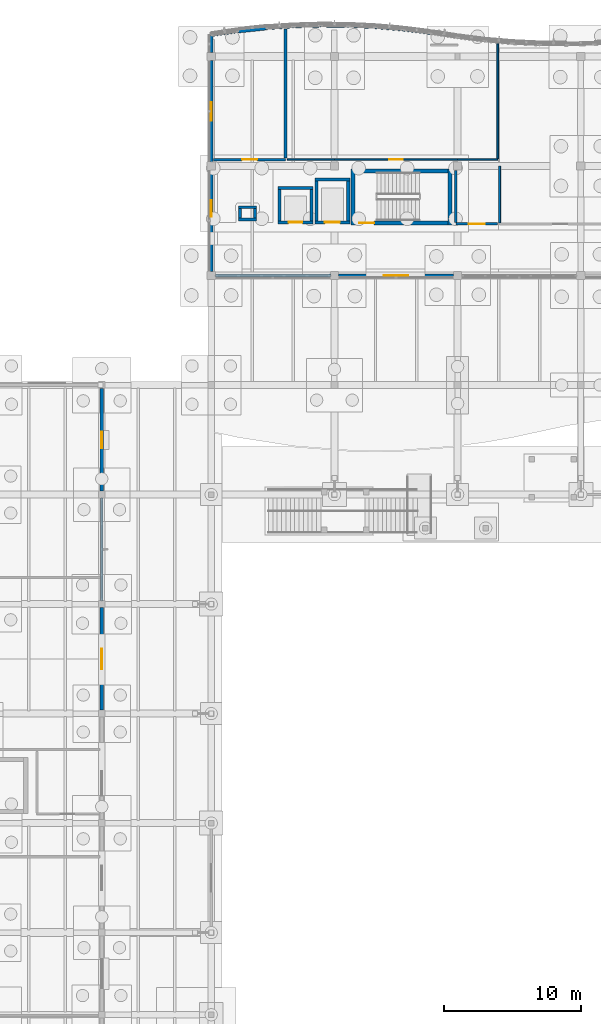
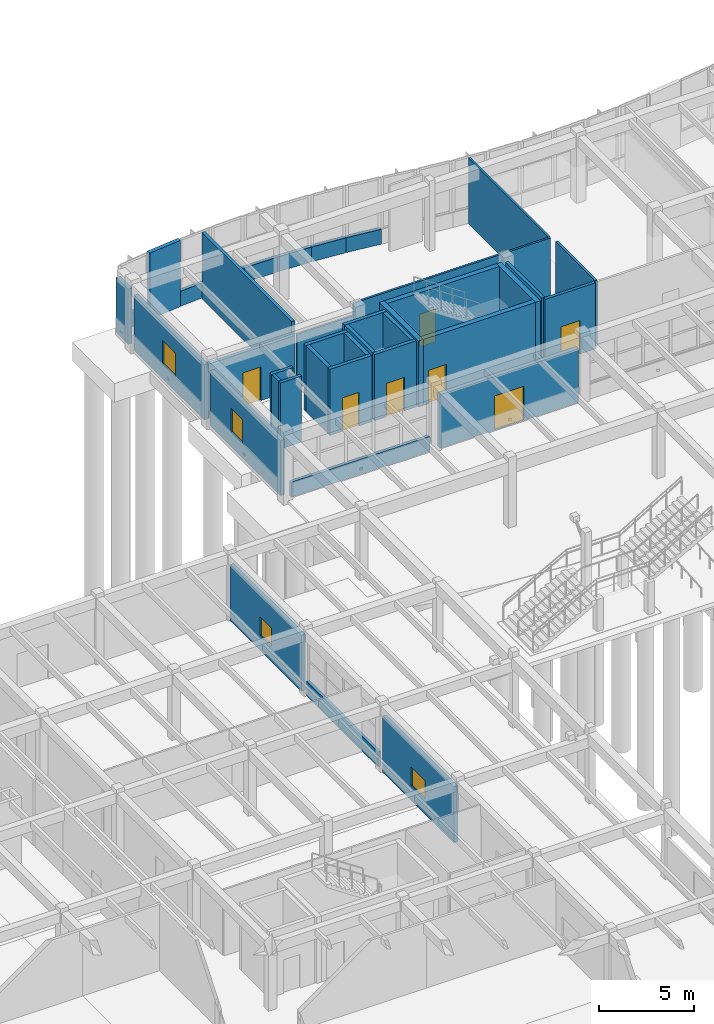
# One storey, part 65 of 99: 41 walls, 7 doors, 4 windows, 11 openings.
"""IFC4 building model written with IfcOpenShell, lengths in metres."""

from ifc_helpers import new_model, si_unit, direction, frame, frame_2d, origin, place, context, subcontext, project, spatial, rectangle, extrude, material, layer, layer_set, type_object, element, fill, save


model = new_model("IFC4")

# Units and contexts
model_context = context("Model", 3, precision=1e-05, world=origin(), true_north=direction((0.0, 1.0)))
body_context = subcontext(model_context, "Body", "Model", "MODEL_VIEW")
ifc_project = project(units=[si_unit("LENGTHUNIT", "METRE"), si_unit("AREAUNIT", "SQUARE_METRE"), si_unit("VOLUMEUNIT", "CUBIC_METRE"), si_unit("PLANEANGLEUNIT", "RADIAN"), si_unit("MASSUNIT", "GRAM", prefix="KILO")], contexts=[model_context])

# Site, building, storey
site_placement = place(None, origin())
site = spatial("IfcSite", under=ifc_project, at=site_placement, CompositionType="ELEMENT")
building_placement = place(site_placement, origin())
building = spatial("IfcBuilding", under=site, at=building_placement, Name="Tonlespit Floodbar School", CompositionType="ELEMENT")
storey_placement = place(building_placement, origin())
storey = spatial("IfcBuildingStorey", under=building, at=storey_placement, Name="L00", CompositionType="ELEMENT", Elevation=0.0)

# Walls
ifc_material_1 = material(Name="Concrete C40/50", Category="concrete")
ifc_layer_1 = layer(ifc_material_1, 0.300048828125)
ifc_layer_set_1 = layer_set([ifc_layer_1], Name="Concrete C40/50")
wall_type_1 = type_object("IfcWallType", Name="CoreWall_RC_300", PredefinedType="SHEAR", material=ifc_layer_set_1)
for number, where, z_axis, x_axis, name in (
    (1, (54.35009765625, 107.699951171875, 0.0), (0.0, 0.0, 1.0), (0.0, 1.0, 0.0), "L00 core C1 shear wall NEAR"),
    (2, (61.449951171875, 111.800048828125, 0.0), (0.0, 0.0, 1.0), (0.0, -1.0, 0.0), "L00 core C1 shear wall FAR"),
):
    element("IfcWall", number, at=place(storey_placement, frame(where, z_axis=z_axis, x_axis=x_axis)), inside=storey, type_object=wall_type_1, Name=name, PredefinedType="SHEAR", context=body_context, shape_type="SweptSolid", body=[
        extrude(rectangle(XDim=4.10009765625, YDim=0.300048828125, at=frame_2d((2.050048828125, 0.0))), origin(), (0.0, 0.0, 1.0), 4.239990234375),
    ])

# Wall, opening, door
wall_1_placement = place(storey_placement, frame((54.5, 107.85009765625, 0.0), z_axis=(0.0, 0.0, 1.0), x_axis=(1.0, 0.0, 0.0)))
wall_1 = element("IfcWall", 3, at=wall_1_placement, inside=storey, type_object=wall_type_1, Name="L00 core C1 shear wall LEFT", PredefinedType="SHEAR", context=body_context, shape_type="SweptSolid", body=[
    extrude(rectangle(XDim=6.800048828125, YDim=0.300048828125, at=frame_2d((3.39990234375, 0.0))), origin(), (0.0, 0.0, 1.0), 4.239990234375),
])
opening_1_placement = place(wall_1_placement, frame((0.300048828125, 0.0, 0.0)))
opening_1 = element("IfcOpeningElement", 4, at=opening_1_placement, cuts=wall_1, Name="Opening FD1-C1-L00", PredefinedType="OPENING", context=body_context, shape_type="SweptSolid", body=[
    extrude(rectangle(XDim=1.10009765625, YDim=2.14990234375, at=frame_2d((0.550048828125, 1.074951171875))), frame((0.0, 0.159912109375, 0.0), z_axis=(0.0, -1.0, 0.0), x_axis=(1.0, 0.0, 0.0)), (0.0, 0.0, 1.0), 0.320068359375),
])
ifc_material_2 = material(Name="Galvanised Steel", Category="steel")
door_type_1 = type_object("IfcDoorType", Name="FireDoor_Stair_1100x2150", OperationType="NOTDEFINED", PredefinedType="DOOR", material=ifc_material_2)
door_1_placement = place(opening_1_placement, origin())
door_1 = element("IfcDoor", 5, at=door_1_placement, inside=storey, type_object=door_type_1, Name="L00 stair ST-C1 fire door", OperationType="SINGLE_SWING_LEFT", OverallHeight=2.14990234375, OverallWidth=1.10009765625, PredefinedType="DOOR", context=body_context, shape_type="SweptSolid", body=[
    extrude(rectangle(XDim=1.10009765625, YDim=2.14990234375, at=frame_2d((0.550048828125, 1.074951171875))), frame((0.0, 0.02490234375, 0.0), z_axis=(0.0, -1.0, 0.0), x_axis=(1.0, 0.0, 0.0)), (0.0, 0.0, 1.0), 0.050048828125),
])
fill(opening_1, door_1)

# Walls
wall_2_placement = place(storey_placement, frame((61.300048828125, 111.64990234375, 0.0), z_axis=(0.0, 0.0, 1.0), x_axis=(-1.0, 0.0, 0.0)))
element("IfcWall", 6, at=wall_2_placement, inside=storey, type_object=wall_type_1, Name="L00 core C1 shear wall RGHT", PredefinedType="SHEAR", context=body_context, shape_type="SweptSolid", body=[
    extrude(rectangle(XDim=6.800048828125, YDim=0.300048828125, at=frame_2d((3.39990234375, 0.0))), origin(), (0.0, 0.0, 1.0), 4.239990234375),
])
ifc_material_3 = material(Name="Precast concrete C40/50", Category="concrete")
ifc_layer_2 = layer(ifc_material_3, 0.239990234375)
ifc_layer_set_2 = layer_set([ifc_layer_2], Name="Precast concrete C40/50")
wall_type_2 = type_object("IfcWallType", Name="ExtWall_Rainscreen_240", PredefinedType="SOLIDWALL", material=ifc_layer_set_2)
wall_3_placement = place(storey_placement, frame((46.0, 121.841552734375, 0.0), z_axis=(0.0, 0.0, 1.0), x_axis=(0.994395160059, 0.105727317433, 0.0)))
element("IfcWall", 7, at=wall_3_placement, inside=storey, type_object=wall_type_2, Name="L00 external wall 0002", PredefinedType="SOLIDWALL", context=body_context, shape_type="SweptSolid", body=[
    extrude(rectangle(XDim=2.01123046875, YDim=0.239990234375, at=frame_2d((1.005615234375, 0.0))), origin(), (0.0, 0.0, 1.0), 4.239990234375),
])

# Wall, opening, door
wall_4_placement = place(storey_placement, frame((61.699951171875, 104.0, 0.0), z_axis=(0.0, 0.0, 1.0), x_axis=(-1.0, 0.0, 0.0)))
wall_4 = element("IfcWall", 8, at=wall_4_placement, inside=storey, type_object=wall_type_2, Name="L00 external wall 0043", PredefinedType="SOLIDWALL", context=body_context, shape_type="SweptSolid", body=[
    extrude(rectangle(XDim=8.39990234375, YDim=0.239990234375, at=frame_2d((4.199951171875, 0.0))), origin(), (0.0, 0.0, 1.0), 3.43994140625),
])
opening_2_placement = place(wall_4_placement, frame((3.300048828125, 0.0, 0.0)))
opening_2 = element("IfcOpeningElement", 9, at=opening_2_placement, cuts=wall_4, Name="Opening D-EX-003", PredefinedType="OPENING", context=body_context, shape_type="SweptSolid", body=[
    extrude(rectangle(XDim=1.800048828125, YDim=2.199951171875, at=frame_2d((0.89990234375, 1.10009765625))), frame((0.0, 0.1298828125, 0.0), z_axis=(0.0, -1.0, 0.0), x_axis=(1.0, 0.0, 0.0)), (0.0, 0.0, 1.0), 0.260009765625),
])
ifc_material_4 = material(Name="Anodised Aluminium", Category="aluminium")
door_type_2 = type_object("IfcDoorType", Name="ExtDoor_Exit_1800x2200", OperationType="NOTDEFINED", PredefinedType="DOOR", material=ifc_material_4)
door_2_placement = place(opening_2_placement, origin())
door_2 = element("IfcDoor", 10, at=door_2_placement, inside=storey, type_object=door_type_2, Name="Final exit door D-EX-003", OperationType="SINGLE_SWING_LEFT", OverallHeight=2.199951171875, OverallWidth=1.800048828125, PredefinedType="DOOR", context=body_context, shape_type="SweptSolid", body=[
    extrude(rectangle(XDim=1.800048828125, YDim=2.199951171875, at=frame_2d((0.89990234375, 1.10009765625))), frame((0.0, 0.02490234375, 0.0), z_axis=(0.0, -1.0, 0.0), x_axis=(1.0, 0.0, 0.0)), (0.0, 0.0, 1.0), 0.050048828125),
])
fill(opening_2, door_2)

# Wall, opening, window
wall_5_placement = place(storey_placement, frame((44.0, 104.300048828125, 0.0), z_axis=(0.0, 0.0, 1.0), x_axis=(0.0, 1.0, 0.0)))
wall_5 = element("IfcWall", 11, at=wall_5_placement, inside=storey, type_object=wall_type_2, Name="L00 external wall 0045", PredefinedType="SOLIDWALL", context=body_context, shape_type="SweptSolid", body=[
    extrude(rectangle(XDim=7.39990234375, YDim=0.239990234375, at=frame_2d((3.699951171875, 0.0))), origin(), (0.0, 0.0, 1.0), 3.5400390625),
])
opening_3_placement = place(wall_5_placement, frame((4.0, 0.0, 0.949951171875)))
opening_3 = element("IfcOpeningElement", 12, at=opening_3_placement, cuts=wall_5, Name="Opening W-L00-001", PredefinedType="OPENING", context=body_context, shape_type="SweptSolid", body=[
    extrude(rectangle(XDim=1.199951171875, YDim=1.5, at=frame_2d((0.60009765625, 0.75))), frame((0.0, 0.1298828125, 0.0), z_axis=(0.0, -1.0, 0.0), x_axis=(1.0, 0.0, 0.0)), (0.0, 0.0, 1.0), 0.260009765625),
])
ifc_material_5 = material(Name="Tempered Double Glazing", Category="glass")
window_type_1 = type_object("IfcWindowType", Name="Win_Mod_1200x1500", PartitioningType="SINGLE_PANEL", PredefinedType="WINDOW", material=ifc_material_5)
window_1_placement = place(opening_3_placement, origin())
window_1 = element("IfcWindow", 13, at=window_1_placement, inside=storey, type_object=window_type_1, Name="L00 window W-L00-001", OverallHeight=1.5, OverallWidth=1.199951171875, PartitioningType="SINGLE_PANEL", PredefinedType="WINDOW", context=body_context, shape_type="SweptSolid", body=[
    extrude(rectangle(XDim=1.199951171875, YDim=1.5, at=frame_2d((0.60009765625, 0.75))), frame((0.0, 0.030029296875, 0.0), z_axis=(0.0, -1.0, 0.0), x_axis=(1.0, 0.0, 0.0)), (0.0, 0.0, 1.0), 0.06005859375),
])
fill(opening_3, window_1)

wall_6_placement = place(storey_placement, frame((44.0, 112.300048828125, 0.0), z_axis=(0.0, 0.0, 1.0), x_axis=(0.0, 1.0, 0.0)))
wall_6 = element("IfcWall", 14, at=wall_6_placement, inside=storey, type_object=wall_type_2, Name="L00 external wall 0046", PredefinedType="SOLIDWALL", context=body_context, shape_type="SweptSolid", body=[
    extrude(rectangle(XDim=7.39990234375, YDim=0.239990234375, at=frame_2d((3.699951171875, 0.0))), origin(), (0.0, 0.0, 1.0), 3.5400390625),
])
opening_4_placement = place(wall_6_placement, frame((3.02490234375, 0.0, 0.949951171875)))
opening_4 = element("IfcOpeningElement", 15, at=opening_4_placement, cuts=wall_6, Name="Opening W-L00-002", PredefinedType="OPENING", context=body_context, shape_type="SweptSolid", body=[
    extrude(rectangle(XDim=1.35009765625, YDim=1.5, at=frame_2d((0.675048828125, 0.75))), frame((0.0, 0.1298828125, 0.0), z_axis=(0.0, -1.0, 0.0), x_axis=(1.0, 0.0, 0.0)), (0.0, 0.0, 1.0), 0.260009765625),
])
window_type_2 = type_object("IfcWindowType", Name="Win_Mod_1350x1500", PartitioningType="SINGLE_PANEL", PredefinedType="WINDOW", material=ifc_material_5)
window_2_placement = place(opening_4_placement, origin())
window_2 = element("IfcWindow", 16, at=window_2_placement, inside=storey, type_object=window_type_2, Name="L00 window W-L00-002", OverallHeight=1.5, OverallWidth=1.35009765625, PartitioningType="SINGLE_PANEL", PredefinedType="WINDOW", context=body_context, shape_type="SweptSolid", body=[
    extrude(rectangle(XDim=1.35009765625, YDim=1.5, at=frame_2d((0.675048828125, 0.75))), frame((0.0, 0.030029296875, 0.0), z_axis=(0.0, -1.0, 0.0), x_axis=(1.0, 0.0, 0.0)), (0.0, 0.0, 1.0), 0.06005859375),
])
fill(opening_4, window_2)

# Wall
wall_7_placement = place(storey_placement, frame((44.0, 120.300048828125, 0.0), z_axis=(0.0, 0.0, 1.0), x_axis=(0.0, 1.0, 0.0)))
element("IfcWall", 17, at=wall_7_placement, inside=storey, type_object=wall_type_2, Name="L00 external wall 0047", PredefinedType="SOLIDWALL", context=body_context, shape_type="SweptSolid", body=[
    extrude(rectangle(XDim=1.25, YDim=0.239990234375, at=frame_2d((0.625, 0.0))), origin(), (0.0, 0.0, 1.0), 3.5400390625),
])

# Wall, opening, window
wall_8_placement = place(storey_placement, frame((36.0, 95.75, 0.0), z_axis=(0.0, 0.0, 1.0), x_axis=(0.0, -1.0, 0.0)))
wall_8 = element("IfcWall", 18, at=wall_8_placement, inside=storey, type_object=wall_type_2, Name="L00 external wall 0323", PredefinedType="SOLIDWALL", context=body_context, shape_type="SweptSolid", body=[
    extrude(rectangle(XDim=7.5, YDim=0.239990234375, at=frame_2d((3.75, 0.0))), origin(), (0.0, 0.0, 1.0), 3.590087890625),
])
opening_5_placement = place(wall_8_placement, frame((3.14990234375, 0.0, 0.949951171875)))
opening_5 = element("IfcOpeningElement", 19, at=opening_5_placement, cuts=wall_8, Name="Opening W-L00-021", PredefinedType="OPENING", context=body_context, shape_type="SweptSolid", body=[
    extrude(rectangle(XDim=1.199951171875, YDim=1.199951171875, at=frame_2d((0.60009765625, 0.60009765625))), frame((0.0, 0.1298828125, 0.0), z_axis=(0.0, -1.0, 0.0), x_axis=(1.0, 0.0, 0.0)), (0.0, 0.0, 1.0), 0.260009765625),
])
window_type_3 = type_object("IfcWindowType", Name="Win_Mod_1200x1200", PartitioningType="SINGLE_PANEL", PredefinedType="WINDOW", material=ifc_material_5)
window_3_placement = place(opening_5_placement, origin())
window_3 = element("IfcWindow", 20, at=window_3_placement, inside=storey, type_object=window_type_3, Name="L00 window W-L00-021", OverallHeight=1.199951171875, OverallWidth=1.199951171875, PartitioningType="SINGLE_PANEL", PredefinedType="WINDOW", context=body_context, shape_type="SweptSolid", body=[
    extrude(rectangle(XDim=1.199951171875, YDim=1.199951171875, at=frame_2d((0.60009765625, 0.60009765625))), frame((0.0, 0.030029296875, 0.0), z_axis=(0.0, -1.0, 0.0), x_axis=(1.0, 0.0, 0.0)), (0.0, 0.0, 1.0), 0.06005859375),
])
fill(opening_5, window_3)

wall_9_placement = place(storey_placement, frame((36.0, 79.75, 0.0), z_axis=(0.0, 0.0, 1.0), x_axis=(0.0, -1.0, 0.0)))
wall_9 = element("IfcWall", 21, at=wall_9_placement, inside=storey, type_object=wall_type_2, Name="L00 external wall 0325", PredefinedType="SOLIDWALL", context=body_context, shape_type="SweptSolid", body=[
    extrude(rectangle(XDim=7.5, YDim=0.239990234375, at=frame_2d((3.75, 0.0))), origin(), (0.0, 0.0, 1.0), 3.590087890625),
])
opening_6_placement = place(wall_9_placement, frame((3.0, 0.0, 0.949951171875)))
opening_6 = element("IfcOpeningElement", 22, at=opening_6_placement, cuts=wall_9, Name="Opening W-L00-022", PredefinedType="OPENING", context=body_context, shape_type="SweptSolid", body=[
    extrude(rectangle(XDim=1.5, YDim=1.199951171875, at=frame_2d((0.75, 0.60009765625))), frame((0.0, 0.1298828125, 0.0), z_axis=(0.0, -1.0, 0.0), x_axis=(1.0, 0.0, 0.0)), (0.0, 0.0, 1.0), 0.260009765625),
])
window_type_4 = type_object("IfcWindowType", Name="Win_Mod_1500x1200", PartitioningType="SINGLE_PANEL", PredefinedType="WINDOW", material=ifc_material_5)
window_4_placement = place(opening_6_placement, origin())
window_4 = element("IfcWindow", 23, at=window_4_placement, inside=storey, type_object=window_type_4, Name="L00 window W-L00-022", OverallHeight=1.199951171875, OverallWidth=1.5, PartitioningType="SINGLE_PANEL", PredefinedType="WINDOW", context=body_context, shape_type="SweptSolid", body=[
    extrude(rectangle(XDim=1.5, YDim=1.199951171875, at=frame_2d((0.75, 0.60009765625))), frame((0.0, 0.030029296875, 0.0), z_axis=(0.0, -1.0, 0.0), x_axis=(1.0, 0.0, 0.0)), (0.0, 0.0, 1.0), 0.06005859375),
])
fill(opening_6, window_4)

# Walls
ifc_material_6 = material(Name="White Architectural Precast concrete C40/50", Category="concrete")
ifc_layer_3 = layer(ifc_material_6, 0.18505859375)
ifc_layer_set_3 = layer_set([ifc_layer_3], Name="White Architectural Precast concrete C40/50")
wall_type_3 = type_object("IfcWallType", Name="ExtWall_Spandrel_White_185", PredefinedType="SOLIDWALL", material=ifc_layer_set_3)
wall_10_placement = place(storey_placement, frame((36.0, 87.75, 0.0), z_axis=(0.0, 0.0, 1.0), x_axis=(0.0, -1.0, 0.0)))
element("IfcWall", 24, at=wall_10_placement, inside=storey, type_object=wall_type_3, Name="L00 spandrel wall 0324", PredefinedType="SOLIDWALL", context=body_context, shape_type="SweptSolid", body=[
    extrude(rectangle(XDim=7.5, YDim=0.18505859375, at=frame_2d((3.75, 0.0))), origin(), (0.0, 0.0, 1.0), 0.949951171875),
])
ifc_layer_4 = layer(ifc_material_6, 0.199951171875)
ifc_layer_set_4 = layer_set([ifc_layer_4], Name="White Architectural Precast concrete C40/50")
wall_type_4 = type_object("IfcWallType", Name="ExtWall_Spandrel_White_200", PredefinedType="SOLIDWALL", material=ifc_layer_set_4)
wall_11_placement = place(storey_placement, frame((44.0, 121.550048828125, 0.0), z_axis=(0.0, 0.0, 1.0), x_axis=(0.989544477223, 0.144228040259, 0.0)))
element("IfcWall", 25, at=wall_11_placement, inside=storey, type_object=wall_type_4, Name="L00 spandrel wall 0001", PredefinedType="SOLIDWALL", context=body_context, shape_type="SweptSolid", body=[
    extrude(rectangle(XDim=2.021240234375, YDim=0.199951171875, at=frame_2d((1.0107421875, 0.0))), origin(), (0.0, 0.0, 1.0), 0.949951171875),
])
wall_12_placement = place(storey_placement, frame((48.0, 122.05419921875, 0.0), z_axis=(0.0, 0.0, 1.0), x_axis=(0.997729302978, 0.067351599676, 0.0)))
element("IfcWall", 26, at=wall_12_placement, inside=storey, type_object=wall_type_4, Name="L00 spandrel wall 0003", PredefinedType="SOLIDWALL", context=body_context, shape_type="SweptSolid", body=[
    extrude(rectangle(XDim=2.004638671875, YDim=0.199951171875, at=frame_2d((1.00244140625, 0.0))), origin(), (0.0, 0.0, 1.0), 0.949951171875),
])
wall_13_placement = place(storey_placement, frame((50.0, 122.189208984375, 0.0), z_axis=(0.0, 0.0, 1.0), x_axis=(0.999581770858, 0.028918564416, 0.0)))
element("IfcWall", 27, at=wall_13_placement, inside=storey, type_object=wall_type_4, Name="L00 spandrel wall 0004", PredefinedType="SOLIDWALL", context=body_context, shape_type="SweptSolid", body=[
    extrude(rectangle(XDim=2.000732421875, YDim=0.199951171875, at=frame_2d((1.00048828125, 0.0))), origin(), (0.0, 0.0, 1.0), 0.949951171875),
])
wall_14_placement = place(storey_placement, frame((52.0, 122.2470703125, 0.0), z_axis=(0.0, 0.0, 1.0), x_axis=(0.999953504169, -0.009643106302, 0.0)))
element("IfcWall", 28, at=wall_14_placement, inside=storey, type_object=wall_type_4, Name="L00 spandrel wall 0005", PredefinedType="SOLIDWALL", context=body_context, shape_type="SweptSolid", body=[
    extrude(rectangle(XDim=2.0, YDim=0.199951171875, at=frame_2d((1.0, 0.0))), origin(), (0.0, 0.0, 1.0), 0.949951171875),
])
wall_15_placement = place(storey_placement, frame((54.0, 122.227783203125, 0.0), z_axis=(0.0, 0.0, 1.0), x_axis=(0.99884540439, -0.048040172037, 0.0)))
element("IfcWall", 29, at=wall_15_placement, inside=storey, type_object=wall_type_4, Name="L00 spandrel wall 0006", PredefinedType="SOLIDWALL", context=body_context, shape_type="SweptSolid", body=[
    extrude(rectangle(XDim=2.002197265625, YDim=0.199951171875, at=frame_2d((1.0009765625, 0.0))), origin(), (0.0, 0.0, 1.0), 0.949951171875),
])
wall_16_placement = place(storey_placement, frame((56.0, 122.131591796875, 0.0), z_axis=(0.0, 0.0, 1.0), x_axis=(0.996244237948, -0.086587633962, 0.0)))
element("IfcWall", 30, at=wall_16_placement, inside=storey, type_object=wall_type_4, Name="L00 spandrel wall 0007", PredefinedType="SOLIDWALL", context=body_context, shape_type="SweptSolid", body=[
    extrude(rectangle(XDim=2.007568359375, YDim=0.199951171875, at=frame_2d((1.00390625, 0.0))), origin(), (0.0, 0.0, 1.0), 0.949951171875),
])
wall_17_placement = place(storey_placement, frame((58.0, 121.957763671875, 0.0), z_axis=(0.0, 0.0, 1.0), x_axis=(0.992158168336, -0.124988675503, 0.0)))
element("IfcWall", 31, at=wall_17_placement, inside=storey, type_object=wall_type_4, Name="L00 spandrel wall 0008", PredefinedType="SOLIDWALL", context=body_context, shape_type="SweptSolid", body=[
    extrude(rectangle(XDim=2.015869140625, YDim=0.199951171875, at=frame_2d((1.0078125, 0.0))), origin(), (0.0, 0.0, 1.0), 0.949951171875),
])
wall_18_placement = place(storey_placement, frame((52.699951171875, 104.0, 0.0), z_axis=(0.0, 0.0, 1.0), x_axis=(-1.0, 0.0, 0.0)))
element("IfcWall", 32, at=wall_18_placement, inside=storey, type_object=wall_type_4, Name="L00 spandrel wall 0044", PredefinedType="SOLIDWALL", context=body_context, shape_type="SweptSolid", body=[
    extrude(rectangle(XDim=8.39990234375, YDim=0.199951171875, at=frame_2d((4.199951171875, 0.0))), origin(), (0.0, 0.0, 1.0), 0.949951171875),
])
ifc_layer_5 = layer(ifc_material_1, 0.199951171875)
ifc_layer_set_5 = layer_set([ifc_layer_5], Name="Concrete C40/50")
wall_type_5 = type_object("IfcWallType", Name="FireWall_Plant_200", PredefinedType="PARTITIONING", material=ifc_layer_set_5)
for number, where, z_axis, x_axis, name in (
    (33, (47.300048828125, 108.10009765625, 0.0), (0.0, 0.0, 1.0), (-1.0, 0.0, 0.0), "L00 service riser 01 wall S"),
    (34, (46.0, 109.0, 0.0), (0.0, 0.0, 1.0), (1.0, 0.0, 0.0), "L00 service riser 01 wall N"),
):
    element("IfcWall", number, at=place(storey_placement, frame(where, z_axis=z_axis, x_axis=x_axis)), inside=storey, type_object=wall_type_5, Name=name, PredefinedType="PARTITIONING", context=body_context, shape_type="SweptSolid", body=[
        extrude(rectangle(XDim=1.300048828125, YDim=0.199951171875, at=frame_2d((0.64990234375, 0.0))), origin(), (0.0, 0.0, 1.0), 4.239990234375),
    ])
wall_19_placement = place(storey_placement, frame((46.10009765625, 108.199951171875, 0.0), z_axis=(0.0, 0.0, 1.0), x_axis=(0.0, 1.0, 0.0)))
element("IfcWall", 35, at=wall_19_placement, inside=storey, type_object=wall_type_5, Name="L00 service riser 01 wall W", PredefinedType="PARTITIONING", context=body_context, shape_type="SweptSolid", body=[
    extrude(rectangle(XDim=0.699951171875, YDim=0.199951171875, at=frame_2d((0.35009765625, 0.0))), origin(), (0.0, 0.0, 1.0), 4.239990234375),
])
wall_20_placement = place(storey_placement, frame((47.199951171875, 108.89990234375, 0.0), z_axis=(0.0, 0.0, 1.0), x_axis=(0.0, -1.0, 0.0)))
element("IfcWall", 36, at=wall_20_placement, inside=storey, type_object=wall_type_5, Name="L00 service riser 01 wall E", PredefinedType="PARTITIONING", context=body_context, shape_type="SweptSolid", body=[
    extrude(rectangle(XDim=0.699951171875, YDim=0.199951171875, at=frame_2d((0.35009765625, 0.0))), origin(), (0.0, 0.0, 1.0), 3.840087890625),
])

# Wall, opening, door
wall_21_placement = place(storey_placement, frame((44.162109375, 112.469970703125, 0.0), z_axis=(0.0, 0.0, 1.0), x_axis=(1.0, 0.0, 0.0)))
wall_21 = element("IfcWall", 37, at=wall_21_placement, inside=storey, type_object=wall_type_5, Name="L00 partition wall 0007", PredefinedType="PARTITIONING", context=body_context, shape_type="SweptSolid", body=[
    extrude(rectangle(XDim=5.267822265625, YDim=0.199951171875, at=frame_2d((2.6337890625, 0.0))), origin(), (0.0, 0.0, 1.0), 3.43994140625),
])
opening_7_placement = place(wall_21_placement, frame((2.087890625, 0.0, 0.0)))
opening_7 = element("IfcOpeningElement", 38, at=opening_7_placement, cuts=wall_21, Name="Opening D-L00-002", PredefinedType="OPENING", context=body_context, shape_type="SweptSolid", body=[
    extrude(rectangle(XDim=1.10009765625, YDim=2.14990234375, at=frame_2d((0.550048828125, 1.074951171875))), frame((0.0, 0.10986328125, 0.0), z_axis=(0.0, -1.0, 0.0), x_axis=(1.0, 0.0, 0.0)), (0.0, 0.0, 1.0), 0.219970703125),
])
door_3_placement = place(opening_7_placement, origin())
door_3 = element("IfcDoor", 39, at=door_3_placement, inside=storey, type_object=door_type_1, Name="L00 interior door D-L00-002", OperationType="SINGLE_SWING_LEFT", OverallHeight=2.14990234375, OverallWidth=1.10009765625, PredefinedType="DOOR", context=body_context, shape_type="SweptSolid", body=[
    extrude(rectangle(XDim=1.10009765625, YDim=2.14990234375, at=frame_2d((0.550048828125, 1.074951171875))), frame((0.0, 0.02490234375, 0.0), z_axis=(0.0, -1.0, 0.0), x_axis=(1.0, 0.0, 0.0)), (0.0, 0.0, 1.0), 0.050048828125),
])
fill(opening_7, door_3)

# Walls
wall_22_placement = place(storey_placement, frame((49.429931640625, 112.5849609375, 0.0), z_axis=(0.0, 0.0, 1.0), x_axis=(0.0, 1.0, 0.0)))
element("IfcWall", 40, at=wall_22_placement, inside=storey, type_object=wall_type_5, Name="L00 partition wall 0008", PredefinedType="PARTITIONING", context=body_context, shape_type="SweptSolid", body=[
    extrude(rectangle(XDim=9.423828125, YDim=0.199951171875, at=frame_2d((4.7119140625, 0.0))), origin(), (0.0, 0.0, 1.0), 4.239990234375),
])
ifc_material_7 = material(Name="Gypsum Plasterboard Partition")
ifc_layer_6 = layer(ifc_material_7, 0.1201171875)
ifc_layer_set_6 = layer_set([ifc_layer_6], Name="Gypsum Plasterboard Partition")
wall_type_6 = type_object("IfcWallType", Name="Partition_Gyp_120", PredefinedType="PARTITIONING", material=ifc_layer_set_6)
wall_23_placement = place(storey_placement, frame((49.570068359375, 112.469970703125, 0.0), z_axis=(0.0, 0.0, 1.0), x_axis=(1.0, 0.0, 0.0)))
element("IfcWall", 41, at=wall_23_placement, inside=storey, type_object=wall_type_6, Name="L00 partition wall 0009", PredefinedType="PARTITIONING", context=body_context, shape_type="SweptSolid", body=[
    extrude(rectangle(XDim=3.429931640625, YDim=0.1201171875, at=frame_2d((1.71484375, 0.0))), origin(), (0.0, 0.0, 1.0), 3.43994140625),
])

# Wall, opening, door
wall_24_placement = place(storey_placement, frame((53.0, 112.469970703125, 0.0), z_axis=(0.0, 0.0, 1.0), x_axis=(1.0, 0.0, 0.0)))
wall_24 = element("IfcWall", 42, at=wall_24_placement, inside=storey, type_object=wall_type_6, Name="L00 partition wall 0010", PredefinedType="PARTITIONING", context=body_context, shape_type="SweptSolid", body=[
    extrude(rectangle(XDim=9.0, YDim=0.1201171875, at=frame_2d((4.5, 0.0))), origin(), (0.0, 0.0, 1.0), 4.239990234375),
])
opening_8_placement = place(wall_24_placement, frame((4.010009765625, 0.0, 0.0)))
opening_8 = element("IfcOpeningElement", 43, at=opening_8_placement, cuts=wall_24, Name="Opening D-L00-003", PredefinedType="OPENING", context=body_context, shape_type="SweptSolid", body=[
    extrude(rectangle(XDim=0.97998046875, YDim=2.10009765625, at=frame_2d((0.489990234375, 1.050048828125))), frame((0.0, 0.070068359375, 0.0), z_axis=(0.0, -1.0, 0.0), x_axis=(1.0, 0.0, 0.0)), (0.0, 0.0, 1.0), 0.14013671875),
])
ifc_material_8 = material(Name="Hardwood Timber", Category="wood")
door_type_3 = type_object("IfcDoorType", Name="IntDoor_980x2100", OperationType="NOTDEFINED", PredefinedType="DOOR", material=ifc_material_8)
door_4_placement = place(opening_8_placement, origin())
door_4 = element("IfcDoor", 44, at=door_4_placement, inside=storey, type_object=door_type_3, Name="L00 interior door D-L00-003", OperationType="SINGLE_SWING_RIGHT", OverallHeight=2.10009765625, OverallWidth=0.97998046875, PredefinedType="DOOR", context=body_context, shape_type="SweptSolid", body=[
    extrude(rectangle(XDim=0.97998046875, YDim=2.10009765625, at=frame_2d((0.489990234375, 1.050048828125))), frame((0.0, 0.02490234375, 0.0), z_axis=(0.0, -1.0, 0.0), x_axis=(1.0, 0.0, 0.0)), (0.0, 0.0, 1.0), 0.050048828125),
])
fill(opening_8, door_4)

# Walls
wall_25_placement = place(storey_placement, frame((62.0, 112.469970703125, 0.0), z_axis=(0.0, 0.0, 1.0), x_axis=(1.0, 0.0, 0.0)))
element("IfcWall", 45, at=wall_25_placement, inside=storey, type_object=wall_type_6, Name="L00 partition wall 0011", PredefinedType="PARTITIONING", context=body_context, shape_type="SweptSolid", body=[
    extrude(rectangle(XDim=2.929931640625, YDim=0.1201171875, at=frame_2d((1.46484375, 0.0))), origin(), (0.0, 0.0, 1.0), 4.239990234375),
])
wall_26_placement = place(storey_placement, frame((64.929931640625, 112.544921875, 0.0), z_axis=(0.0, 0.0, 1.0), x_axis=(0.0, 1.0, 0.0)))
element("IfcWall", 46, at=wall_26_placement, inside=storey, type_object=wall_type_6, Name="L00 partition wall 0013", PredefinedType="PARTITIONING", context=body_context, shape_type="SweptSolid", body=[
    extrude(rectangle(XDim=8.37451171875, YDim=0.1201171875, at=frame_2d((4.187255859375, 0.0))), origin(), (0.0, 0.0, 1.0), 4.239990234375),
])
ifc_layer_7 = layer(ifc_material_7, 0.1298828125)
ifc_layer_set_7 = layer_set([ifc_layer_7], Name="Gypsum Plasterboard Partition")
wall_type_7 = type_object("IfcWallType", Name="Partition_Gyp_130", PredefinedType="PARTITIONING", material=ifc_layer_set_7)
wall_27_placement = place(storey_placement, frame((65.070068359375, 107.85009765625, 0.0), z_axis=(0.0, 0.0, 1.0), x_axis=(0.0, 1.0, 0.0)))
element("IfcWall", 47, at=wall_27_placement, inside=storey, type_object=wall_type_7, Name="L00 partition wall 0015", PredefinedType="PARTITIONING", context=body_context, shape_type="SweptSolid", body=[
    extrude(rectangle(XDim=4.14990234375, YDim=0.1298828125, at=frame_2d((2.074951171875, 0.0))), origin(), (0.0, 0.0, 1.0), 4.239990234375),
])

# Wall, opening, door
ifc_layer_8 = layer(ifc_material_7, 0.18505859375)
ifc_layer_set_8 = layer_set([ifc_layer_8], Name="Gypsum Plasterboard Partition")
wall_type_8 = type_object("IfcWallType", Name="Partition_Gyp_185", PredefinedType="PARTITIONING", material=ifc_layer_set_8)
wall_28_placement = place(storey_placement, frame((61.8701171875, 107.77001953125, 0.0), z_axis=(0.0, 0.0, 1.0), x_axis=(1.0, 0.0, 0.0)))
wall_28 = element("IfcWall", 48, at=wall_28_placement, inside=storey, type_object=wall_type_8, Name="L00 partition wall 0028", PredefinedType="PARTITIONING", context=body_context, shape_type="SweptSolid", body=[
    extrude(rectangle(XDim=3.059814453125, YDim=0.18505859375, at=frame_2d((1.52978515625, 0.0))), origin(), (0.0, 0.0, 1.0), 4.239990234375),
])
opening_9_placement = place(wall_28_placement, frame((0.949951171875, 0.0, 0.0)))
opening_9 = element("IfcOpeningElement", 49, at=opening_9_placement, cuts=wall_28, Name="Opening D-L00-008", PredefinedType="OPENING", context=body_context, shape_type="SweptSolid", body=[
    extrude(rectangle(XDim=1.159912109375, YDim=2.14990234375, at=frame_2d((0.580078125, 1.074951171875))), frame((0.0, 0.1025390625, 0.0), z_axis=(0.0, -1.0, 0.0), x_axis=(1.0, 0.0, 0.0)), (0.0, 0.0, 1.0), 0.205078125),
])
door_type_4 = type_object("IfcDoorType", Name="IntDoor_1160x2150", OperationType="NOTDEFINED", PredefinedType="DOOR", material=ifc_material_8)
door_5_placement = place(opening_9_placement, origin())
door_5 = element("IfcDoor", 50, at=door_5_placement, inside=storey, type_object=door_type_4, Name="L00 interior door D-L00-008", OperationType="SINGLE_SWING_LEFT", OverallHeight=2.14990234375, OverallWidth=1.159912109375, PredefinedType="DOOR", context=body_context, shape_type="SweptSolid", body=[
    extrude(rectangle(XDim=1.159912109375, YDim=2.14990234375, at=frame_2d((0.580078125, 1.074951171875))), frame((0.0, 0.02490234375, 0.0), z_axis=(0.0, -1.0, 0.0), x_axis=(1.0, 0.0, 0.0)), (0.0, 0.0, 1.0), 0.050048828125),
])
fill(opening_9, door_5)

# Wall
wall_29_placement = place(storey_placement, frame((61.8701171875, 107.87744140625, 0.0), z_axis=(0.0, 0.0, 1.0), x_axis=(0.0, 1.0, 0.0)))
element("IfcWall", 51, at=wall_29_placement, inside=storey, type_object=wall_type_8, Name="L00 partition wall 0029", PredefinedType="PARTITIONING", context=body_context, shape_type="SweptSolid", body=[
    extrude(rectangle(XDim=3.8076171875, YDim=0.18505859375, at=frame_2d((1.90380859375, 0.0))), origin(), (0.0, 0.0, 1.0), 4.239990234375),
])

# Wall, opening, door
ifc_layer_9 = layer(ifc_material_1, 0.219970703125)
ifc_layer_set_9 = layer_set([ifc_layer_9], Name="Concrete C40/50")
wall_type_9 = type_object("IfcWallType", Name="ShaftWall_RC_220", PredefinedType="SHEAR", material=ifc_layer_set_9)
wall_30_placement = place(storey_placement, frame((54.1201171875, 107.889892578125, 0.0), z_axis=(0.0, 0.0, 1.0), x_axis=(-1.0, 0.0, 0.0)))
wall_30 = element("IfcWall", 52, at=wall_30_placement, inside=storey, type_object=wall_type_9, Name="L00 lift LF-FF1 shaft wall S", PredefinedType="SHEAR", context=body_context, shape_type="SweptSolid", body=[
    extrude(rectangle(XDim=2.5400390625, YDim=0.219970703125, at=frame_2d((1.27001953125, 0.0))), origin(), (0.0, 0.0, 1.0), 4.239990234375),
])
opening_10_placement = place(wall_30_placement, frame((0.719970703125, 0.0, 0.0)))
opening_10 = element("IfcOpeningElement", 53, at=opening_10_placement, cuts=wall_30, Name="Opening LD-LF-FF1-L00", PredefinedType="OPENING", context=body_context, shape_type="SweptSolid", body=[
    extrude(rectangle(XDim=1.10009765625, YDim=2.14990234375, at=frame_2d((0.550048828125, 1.074951171875))), frame((0.0, 0.119873046875, 0.0), z_axis=(0.0, -1.0, 0.0), x_axis=(1.0, 0.0, 0.0)), (0.0, 0.0, 1.0), 0.239990234375),
])
door_type_5 = type_object("IfcDoorType", Name="LiftDoor_FF_1100x2150", OperationType="DOUBLE_DOOR_SLIDING", PredefinedType="DOOR", material=ifc_material_2)
door_6_placement = place(opening_10_placement, origin())
door_6 = element("IfcDoor", 54, at=door_6_placement, inside=storey, type_object=door_type_5, Name="L00 lift LF-FF1 sliding landing door", OperationType="DOUBLE_DOOR_SLIDING", OverallHeight=2.14990234375, OverallWidth=1.10009765625, PredefinedType="DOOR", context=body_context, shape_type="SweptSolid", body=[
    extrude(rectangle(XDim=1.10009765625, YDim=2.14990234375, at=frame_2d((0.550048828125, 1.074951171875))), frame((0.0, 0.02490234375, 0.0), z_axis=(0.0, -1.0, 0.0), x_axis=(1.0, 0.0, 0.0)), (0.0, 0.0, 1.0), 0.050048828125),
])
fill(opening_10, door_6)

# Walls
wall_31_placement = place(storey_placement, frame((51.580078125, 111.010009765625, 0.0), z_axis=(0.0, 0.0, 1.0), x_axis=(1.0, 0.0, 0.0)))
element("IfcWall", 55, at=wall_31_placement, inside=storey, type_object=wall_type_9, Name="L00 lift LF-FF1 shaft wall N", PredefinedType="SHEAR", context=body_context, shape_type="SweptSolid", body=[
    extrude(rectangle(XDim=2.5400390625, YDim=0.219970703125, at=frame_2d((1.27001953125, 0.0))), origin(), (0.0, 0.0, 1.0), 4.239990234375),
])
for number, where, z_axis, x_axis, name in (
    (56, (51.68994140625, 108.0, 0.0), (0.0, 0.0, 1.0), (0.0, 1.0, 0.0), "L00 lift LF-FF1 shaft wall W"),
    (57, (54.010009765625, 110.89990234375, 0.0), (0.0, 0.0, 1.0), (0.0, -1.0, 0.0), "L00 lift LF-FF1 shaft wall E"),
):
    element("IfcWall", number, at=place(storey_placement, frame(where, z_axis=z_axis, x_axis=x_axis)), inside=storey, type_object=wall_type_9, Name=name, PredefinedType="SHEAR", context=body_context, shape_type="SweptSolid", body=[
        extrude(rectangle(XDim=2.89990234375, YDim=0.219970703125, at=frame_2d((1.449951171875, 0.0))), origin(), (0.0, 0.0, 1.0), 4.239990234375),
    ])

# Wall, opening, door
wall_32_placement = place(storey_placement, frame((51.419921875, 107.889892578125, 0.0), z_axis=(0.0, 0.0, 1.0), x_axis=(-1.0, 0.0, 0.0)))
wall_32 = element("IfcWall", 58, at=wall_32_placement, inside=storey, type_object=wall_type_9, Name="L00 lift LP-1 shaft wall S", PredefinedType="SHEAR", context=body_context, shape_type="SweptSolid", body=[
    extrude(rectangle(XDim=2.5400390625, YDim=0.219970703125, at=frame_2d((1.27001953125, 0.0))), origin(), (0.0, 0.0, 1.0), 4.239990234375),
])
opening_11_placement = place(wall_32_placement, frame((0.77001953125, 0.0, 0.0)))
opening_11 = element("IfcOpeningElement", 59, at=opening_11_placement, cuts=wall_32, Name="Opening LD-LP-1-L00", PredefinedType="OPENING", context=body_context, shape_type="SweptSolid", body=[
    extrude(rectangle(XDim=1.0, YDim=2.14990234375, at=frame_2d((0.5, 1.074951171875))), frame((0.0, 0.119873046875, 0.0), z_axis=(0.0, -1.0, 0.0), x_axis=(1.0, 0.0, 0.0)), (0.0, 0.0, 1.0), 0.239990234375),
])
door_type_6 = type_object("IfcDoorType", Name="LiftDoor_Pass_1000x2150", OperationType="DOUBLE_DOOR_SLIDING", PredefinedType="DOOR", material=ifc_material_4)
door_7_placement = place(opening_11_placement, origin())
door_7 = element("IfcDoor", 60, at=door_7_placement, inside=storey, type_object=door_type_6, Name="L00 lift LP-1 sliding landing door", OperationType="DOUBLE_DOOR_SLIDING", OverallHeight=2.14990234375, OverallWidth=1.0, PredefinedType="DOOR", context=body_context, shape_type="SweptSolid", body=[
    extrude(rectangle(XDim=1.0, YDim=2.14990234375, at=frame_2d((0.5, 1.074951171875))), frame((0.0, 0.02490234375, 0.0), z_axis=(0.0, -1.0, 0.0), x_axis=(1.0, 0.0, 0.0)), (0.0, 0.0, 1.0), 0.050048828125),
])
fill(opening_11, door_7)

# Walls
wall_33_placement = place(storey_placement, frame((48.8798828125, 110.409912109375, 0.0), z_axis=(0.0, 0.0, 1.0), x_axis=(1.0, 0.0, 0.0)))
element("IfcWall", 61, at=wall_33_placement, inside=storey, type_object=wall_type_9, Name="L00 lift LP-1 shaft wall N", PredefinedType="SHEAR", context=body_context, shape_type="SweptSolid", body=[
    extrude(rectangle(XDim=2.5400390625, YDim=0.219970703125, at=frame_2d((1.27001953125, 0.0))), origin(), (0.0, 0.0, 1.0), 4.239990234375),
])
for number, where, z_axis, x_axis, name in (
    (62, (48.989990234375, 108.0, 0.0), (0.0, 0.0, 1.0), (0.0, 1.0, 0.0), "L00 lift LP-1 shaft wall W"),
    (63, (51.31005859375, 110.300048828125, 0.0), (0.0, 0.0, 1.0), (0.0, -1.0, 0.0), "L00 lift LP-1 shaft wall E"),
):
    element("IfcWall", number, at=place(storey_placement, frame(where, z_axis=z_axis, x_axis=x_axis)), inside=storey, type_object=wall_type_9, Name=name, PredefinedType="SHEAR", context=body_context, shape_type="SweptSolid", body=[
        extrude(rectangle(XDim=2.300048828125, YDim=0.219970703125, at=frame_2d((1.14990234375, 0.0))), origin(), (0.0, 0.0, 1.0), 4.239990234375),
    ])

save(model, "model.ifc")
